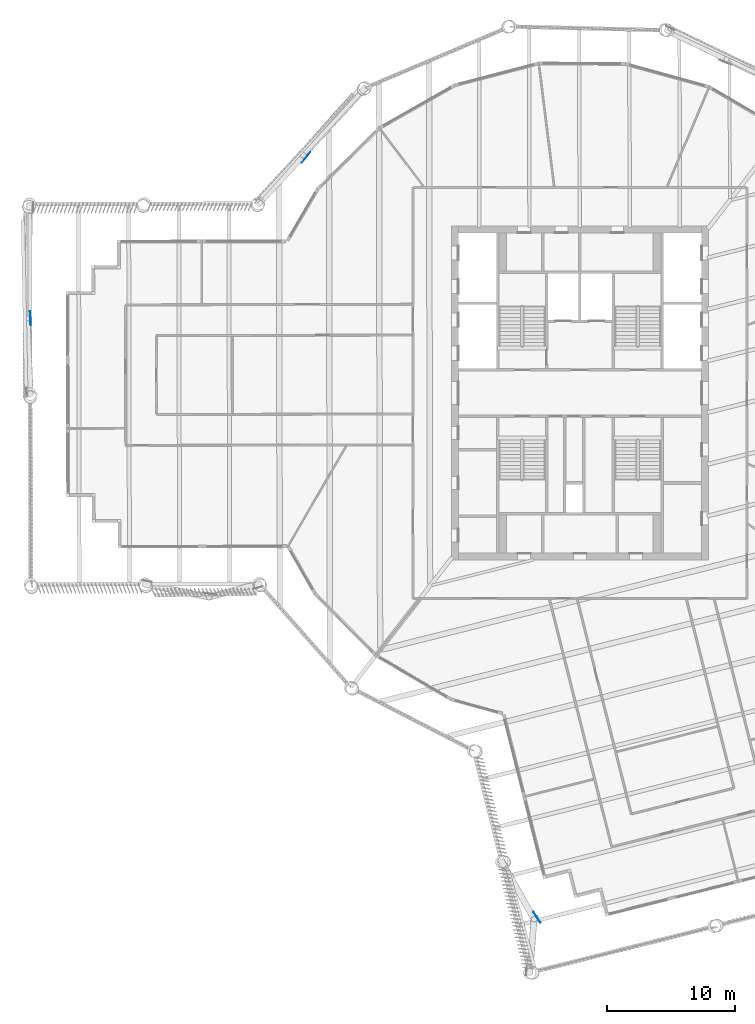
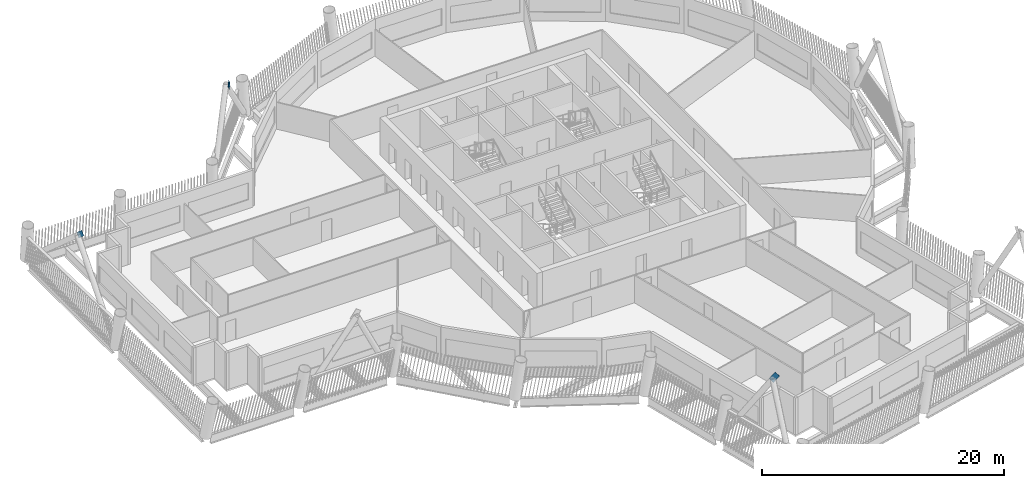
# One storey, part 8 of 22: 3 discrete accessories.
"""IFC4 building model written with IfcOpenShell, lengths in metres."""

from ifc_helpers import new_model, si_unit, direction, frame, origin, origin_2d, place, context, subcontext, project, spatial, rectangle, extrude, material, material_profile, profile_set, type_object, element, save


model = new_model("IFC4")

# Units and contexts
model_context = context("Model", 3, precision=1e-05, world=origin(), true_north=direction((0.0, 1.0)))
body_context = subcontext(model_context, "Body", "Model", "MODEL_VIEW")
ifc_project = project(units=[si_unit("LENGTHUNIT", "METRE"), si_unit("AREAUNIT", "SQUARE_METRE"), si_unit("VOLUMEUNIT", "CUBIC_METRE"), si_unit("PLANEANGLEUNIT", "RADIAN"), si_unit("MASSUNIT", "GRAM", prefix="KILO")], contexts=[model_context])

# Site, building, storey
site_placement = place(None, origin())
site = spatial("IfcSite", under=ifc_project, at=site_placement, CompositionType="ELEMENT")
building_placement = place(site_placement, origin())
building = spatial("IfcBuilding", under=site, at=building_placement, Name="Tarsis Ring Headquarters", CompositionType="ELEMENT")
storey_placement = place(building_placement, frame((0.0, 0.0, 286.39990234375)))
storey = spatial("IfcBuildingStorey", under=building, at=storey_placement, Name="L67", CompositionType="ELEMENT", Elevation=286.39990234375)

# Discrete accessories
ifc_material = material(Name="Structural steel S355", Category="steel")
ifc_material_profile = material_profile(ifc_material, rectangle(XDim=0.02490234375, YDim=0.5, at=origin_2d()), Name="PL 25x500")
ifc_profile_set = profile_set([ifc_material_profile], Name="Structural steel S355")
discrete_accessory_type = type_object("IfcDiscreteAccessoryType", Name="Gusset plate Exo brace 25", PredefinedType="BRACKET", material=ifc_profile_set)
for number, where, z_axis, x_axis, name in (
    (1, (-3.499755859375, -40.57275390625, 7.383544921875), (0.303938873644, -0.462377692114, 0.832963403112), (0.83563026183, 0.549292331562, 0.0), "Gusset plate GP5"),
    (2, (-21.114501953125, 18.605712890625, 7.43115234375), (-0.422862690469, -0.526136892587, 0.737812384871), (0.779455318763, -0.626457824639, 0.0), "Gusset plate GP5"),
):
    element("IfcDiscreteAccessory", number, at=place(storey_placement, frame(where, z_axis=z_axis, x_axis=x_axis)), inside=storey, type_object=discrete_accessory_type, Name=name, PredefinedType="BRACKET", context=body_context, shape_type="SweptSolid", body=[
        extrude(rectangle(XDim=0.02490234375, YDim=0.5, at=origin_2d()), origin(), (0.0, 0.0, 1.0), 1.0),
    ])
discrete_accessory_placement = place(storey_placement, frame((-42.793212890625, 6.198486328125, 7.470947265625), z_axis=(0.03002477575, -0.752328120834, 0.658104027829), x_axis=(0.999204579924, 0.039877405364, 0.0)))
element("IfcDiscreteAccessory", 3, at=discrete_accessory_placement, inside=storey, type_object=discrete_accessory_type, Name="Gusset plate GP5", PredefinedType="BRACKET", context=body_context, shape_type="SweptSolid", body=[
    extrude(rectangle(XDim=0.02490234375, YDim=0.5, at=origin_2d()), origin(), (0.0, 0.0, 1.0), 1.000244140625),
])

save(model, "model.ifc")
